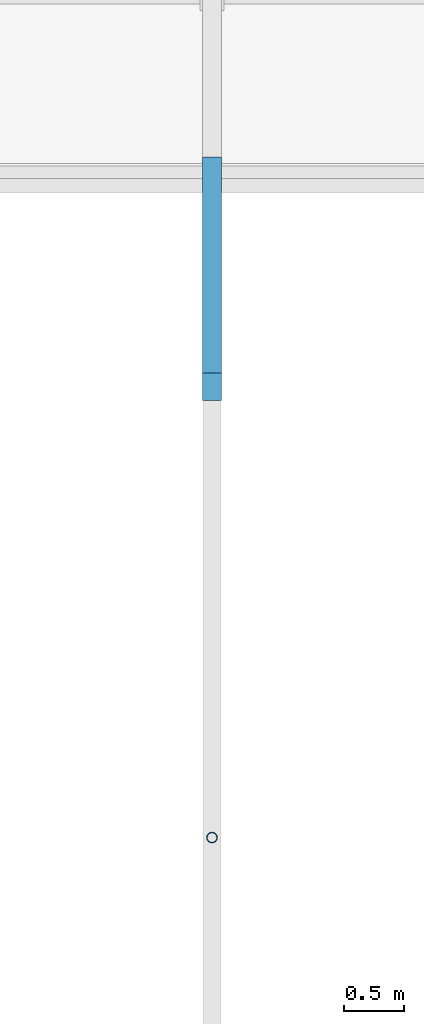
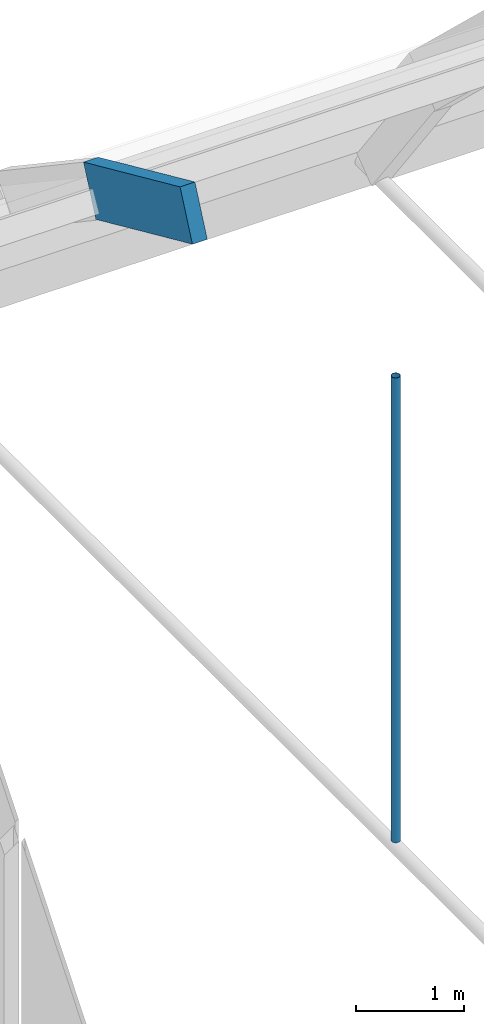
# One storey, part 19 of 102: 2 members.
"""IFC4 building model written with IfcOpenShell, lengths in metres."""

import ifcopenshell
import ifcopenshell.guid

model = None  # the IFC model being written
_history = None  # IfcOwnerHistory: only IFC2X3 demands one
_inside = {}  # id of a spatial element -> (the spatial element, [elements in it])
_under = {}  # id of a project, library or spatial element -> (it, [spatial elements below it])
_declared = {}  # id of a project -> (the project, [libraries it declares])
_typed = {}  # id of a type object -> (the type object, [elements of that type])
_made_of = {}  # id of a material, layer set ... -> (it, [elements and type objects made of it])


def new_model(schema):
    """Start an empty IFC model of exactly this schema.

    Asked for "IFC4X3", IfcOpenShell would pick the latest addendum, in which some entities
    have other attributes; the version numbers below select the first issue.
    IFC2X3 requires an IfcOwnerHistory on every rooted entity: one is made here for all.
    """
    global model, _history
    if schema == "IFC4X3":
        model = ifcopenshell.file(schema_version=(4, 3, 0, 0))
    else:
        model = ifcopenshell.file(schema=schema)
    _inside.clear()
    _under.clear()
    _declared.clear()
    _typed.clear()
    _made_of.clear()
    _history = None
    if model.schema == "IFC2X3":
        org = make("IfcOrganization", Name="unknown")
        user = make(
            "IfcPersonAndOrganization",
            ThePerson=make("IfcPerson", FamilyName="unknown"),
            TheOrganization=org,
        )
        app = make(
            "IfcApplication",
            ApplicationDeveloper=org,
            Version="unknown",
            ApplicationFullName="unknown",
            ApplicationIdentifier="unknown",
        )
        _history = make(
            "IfcOwnerHistory",
            OwningUser=user,
            OwningApplication=app,
            ChangeAction="ADDED",
            CreationDate=0,
        )
    return model


def make(cls, **values):
    """One entity of the class cls with the attributes given. An attribute that is None is left unset."""
    return model.create_entity(
        cls, **{name: value for name, value in values.items() if value is not None}
    )


def rooted(cls, **values):
    """An entity with a GlobalId (a new one), such as an element, a storey or a relation."""
    return make(cls, GlobalId=ifcopenshell.guid.new(), OwnerHistory=_history, **values)


def si_unit(unit_type, name, prefix=None):
    """IfcSIUnit, for example si_unit("LENGTHUNIT", "METRE", prefix="MILLI")."""
    return make("IfcSIUnit", UnitType=unit_type, Prefix=prefix, Name=name)


def assignment(units):
    """IfcUnitAssignment: the units of a project."""
    return None if units is None else make("IfcUnitAssignment", Units=units)


def point(xyz):
    """IfcCartesianPoint."""
    return None if xyz is None else make("IfcCartesianPoint", Coordinates=xyz)


def direction(xyz):
    """IfcDirection."""
    return None if xyz is None else make("IfcDirection", DirectionRatios=xyz)


def frame(location, z_axis=None, x_axis=None):
    """IfcAxis2Placement3D, a coordinate frame: its origin and axes. An axis left out is left unset."""
    return make(
        "IfcAxis2Placement3D",
        Location=point(location),
        Axis=direction(z_axis),
        RefDirection=direction(x_axis),
    )


def frame_2d(location, x_axis=None):
    """IfcAxis2Placement2D, a coordinate frame in the plane: its origin and x axis."""
    return make(
        "IfcAxis2Placement2D", Location=point(location), RefDirection=direction(x_axis)
    )


def origin():
    """The frame at (0, 0, 0) with its axes left unset."""
    return frame((0.0, 0.0, 0.0))


def origin_2d():
    """The frame at (0, 0) in the plane with its x axis left unset."""
    return frame_2d((0.0, 0.0))


def place(relative_to, where):
    """IfcLocalPlacement: puts the frame where relative to a parent placement (None: the world)."""
    return make(
        "IfcLocalPlacement", PlacementRelTo=relative_to, RelativePlacement=where
    )


def context(
    kind, dimensions, precision=None, world=None, true_north=None, identifier=None
):
    """IfcGeometricRepresentationContext, for example the 3D "Model" context."""
    return make(
        "IfcGeometricRepresentationContext",
        ContextIdentifier=identifier,
        ContextType=kind,
        CoordinateSpaceDimension=dimensions,
        Precision=precision,
        WorldCoordinateSystem=world,
        TrueNorth=true_north,
    )


def subcontext(parent, identifier, kind, view, scale=None):
    """IfcGeometricRepresentationSubContext, for example "Body" below "Model"."""
    return make(
        "IfcGeometricRepresentationSubContext",
        ContextIdentifier=identifier,
        ContextType=kind,
        ParentContext=parent,
        TargetScale=scale,
        TargetView=view,
    )


def project(units=None, contexts=None):
    """IfcProject with its units and contexts."""
    return rooted(
        "IfcProject",
        Name="project",
        RepresentationContexts=contexts,
        UnitsInContext=assignment(units),
    )


def spatial(cls, under=None, at=None, **own):
    """A site, building, storey or space (cls), placed at a placement, below another one or the project."""
    s = rooted(cls, ObjectPlacement=at, **own)
    if under is not None:
        _under.setdefault(under.id(), (under, []))[1].append(s)
    return s


def profile(cls, at=None, kind="AREA", **sizes):
    """A parametric profile (cls). Its sizes go by their IFC names, for example OverallWidth=200.0."""
    return make(cls, ProfileType=kind, Position=at, **sizes)


def rectangle(**sizes):
    """IfcRectangleProfileDef."""
    return profile("IfcRectangleProfileDef", **sizes)


def hollow_circle(**sizes):
    """IfcCircleHollowProfileDef."""
    return profile("IfcCircleHollowProfileDef", **sizes)


def extrude(swept, where, along, depth):
    """IfcExtrudedAreaSolid: the profile swept, set in the frame where, extruded along a direction by depth."""
    return make(
        "IfcExtrudedAreaSolid",
        SweptArea=swept,
        Position=where,
        ExtrudedDirection=direction(along),
        Depth=depth,
    )


def shape(context_of_items, identifier, shape_type, items):
    """IfcShapeRepresentation: the items that make up one representation, for example the "Body"."""
    return make(
        "IfcShapeRepresentation",
        ContextOfItems=context_of_items,
        RepresentationIdentifier=identifier,
        RepresentationType=shape_type,
        Items=items,
    )


def material(Name=None, Category=None):
    """IfcMaterial."""
    return make("IfcMaterial", Name=Name, Category=Category)


def material_profile(
    of_material, cross_section, Name=None, Category=None, Priority=None
):
    """IfcMaterialProfile: a cross section and its material."""
    return make(
        "IfcMaterialProfile",
        Name=Name,
        Material=of_material,
        Profile=cross_section,
        Priority=Priority,
        Category=Category,
    )


def profile_set(profiles, Name=None, composite=None):
    """IfcMaterialProfileSet."""
    return make(
        "IfcMaterialProfileSet",
        Name=Name,
        MaterialProfiles=profiles,
        CompositeProfile=composite,
    )


def made_of(thing, what):
    """Note that an element or type object is made of a material, layer set ...; save() writes the relation."""
    if what is not None:
        _made_of.setdefault(what.id(), (what, []))[1].append(thing)
    return thing


def type_object(cls, material=None, **own):
    """A type object (cls), such as IfcWallType, which elements share."""
    return made_of(rooted(cls, **own), material)


def element(
    cls,
    number,
    at=None,
    inside=None,
    cuts=None,
    type_object=None,
    material=None,
    context=None,
    identifier="Body",
    shape_type=None,
    held_by="IfcProductDefinitionShape",
    body=None,
    shapes=None,
    **own,
):
    """One element of the class cls, such as IfcWall. Its Tag is "e" and its number.

    at: its placement. inside: the storey or other place that contains it. cuts: it is an
    opening in that element (IfcRelVoidsElement). A single representation is given by context,
    identifier, shape_type and body (its items); several are given by shapes. held_by: the class
    of the entity that holds the representations. save() writes the other relations.
    """
    e = rooted(cls, Tag="e%d" % number, ObjectPlacement=at, **own)
    if body is not None:
        shapes = [shape(context, identifier, shape_type, body)]
    if shapes is not None:
        e.Representation = make(held_by, Representations=shapes)
    if inside is not None:
        _inside.setdefault(inside.id(), (inside, []))[1].append(e)
    if cuts is not None:
        rooted(
            "IfcRelVoidsElement", RelatingBuildingElement=cuts, RelatedOpeningElement=e
        )
    if type_object is not None:
        _typed.setdefault(type_object.id(), (type_object, []))[1].append(e)
    return made_of(e, material)


def aggregate(whole, parts):
    """IfcRelAggregates: a whole, such as a stair, and the parts it consists of."""
    return rooted("IfcRelAggregates", RelatingObject=whole, RelatedObjects=parts)


def save(model, path):
    """Write the relations noted so far, then the file.

    IfcRelAggregates (storeys below a building ...), IfcRelContainedInSpatialStructure (elements
    in a storey), IfcRelDefinesByType, IfcRelAssociatesMaterial and IfcRelDeclares: one each for
    every whole, place, type object, material and project.
    """
    for whole, parts in _under.values():
        aggregate(whole, parts)
    for where, things in _inside.values():
        rooted(
            "IfcRelContainedInSpatialStructure",
            RelatedElements=things,
            RelatingStructure=where,
        )
    for kind, things in _typed.values():
        rooted("IfcRelDefinesByType", RelatedObjects=things, RelatingType=kind)
    for what, things in _made_of.values():
        rooted("IfcRelAssociatesMaterial", RelatedObjects=things, RelatingMaterial=what)
    for by, libraries in _declared.values():
        rooted("IfcRelDeclares", RelatingContext=by, RelatedDefinitions=libraries)
    model.write(path)


model = new_model("IFC4")

# Units and contexts
model_context = context("Model", 3, precision=1e-05, world=origin(), true_north=direction((0.0, 1.0)))
body_context = subcontext(model_context, "Body", "Model", "MODEL_VIEW")
ifc_project = project(units=[si_unit("LENGTHUNIT", "METRE"), si_unit("AREAUNIT", "SQUARE_METRE"), si_unit("VOLUMEUNIT", "CUBIC_METRE"), si_unit("PLANEANGLEUNIT", "RADIAN"), si_unit("MASSUNIT", "GRAM", prefix="KILO")], contexts=[model_context])

# Site, building, storey
site_placement = place(None, origin())
site = spatial("IfcSite", under=ifc_project, at=site_placement, CompositionType="ELEMENT")
building_placement = place(site_placement, origin())
building = spatial("IfcBuilding", under=site, at=building_placement, Name="Lantern Court Research Institute", CompositionType="ELEMENT")
storey_placement = place(building_placement, frame((0.0, 0.0, 9.89990234375)))
storey = spatial("IfcBuildingStorey", under=building, at=storey_placement, Name="L02", CompositionType="ELEMENT", Elevation=9.89990234375)

# Members
ifc_material_1 = material(Name="Glued laminated timber GL28h", Category="wood")
ifc_material_profile_1 = material_profile(ifc_material_1, rectangle(XDim=0.159912109375, YDim=0.56005859375, at=origin_2d()), Name="Glulam haunch rib 160 x 560")
ifc_profile_set_1 = profile_set([ifc_material_profile_1], Name="Glued laminated timber GL28h")
member_type_1 = type_object("IfcMemberType", Name="Glulam haunch rib 160 x 560", PredefinedType="RAFTER", material=ifc_profile_set_1)
member_1_placement = place(storey_placement, frame((58.080078125, 69.75244140625, 5.224853515625), z_axis=(0.0, 0.91202821745, -0.410127456501), x_axis=(-1.0, 0.0, 0.0)))
element("IfcMember", 1, at=member_1_placement, inside=storey, type_object=member_type_1, Name="Glulam rib", PredefinedType="RAFTER", context=body_context, shape_type="SweptSolid", body=[
    extrude(rectangle(XDim=0.159912109375, YDim=0.56005859375, at=origin_2d()), origin(), (0.0, 0.0, 1.0), 1.968505859375),
])
ifc_material_2 = material(Name="Structural steel S355", Category="steel")
ifc_material_profile_2 = material_profile(ifc_material_2, hollow_circle(Radius=0.04443359375, WallThickness=0.0048828125, at=origin_2d()), Name="Gridshell hanger CHS 88.9 x 5")
ifc_profile_set_2 = profile_set([ifc_material_profile_2], Name="Structural steel S355")
member_type_2 = type_object("IfcMemberType", Name="Gridshell hanger CHS 88.9 x 5", PredefinedType="STRUT", material=ifc_profile_set_2)
member_2_placement = place(storey_placement, frame((58.080078125, 66.0, 0.389892578125), z_axis=(0.0, 0.0, 1.0), x_axis=(1.0, 0.0, 0.0)))
element("IfcMember", 2, at=member_2_placement, inside=storey, type_object=member_type_2, Name="Theatre hanger", PredefinedType="STRUT", context=body_context, shape_type="SweptSolid", body=[
    extrude(hollow_circle(Radius=0.04443359375, WallThickness=0.0048828125, at=origin_2d()), origin(), (0.0, 0.0, 1.0), 5.270263671875),
])

save(model, "model.ifc")
